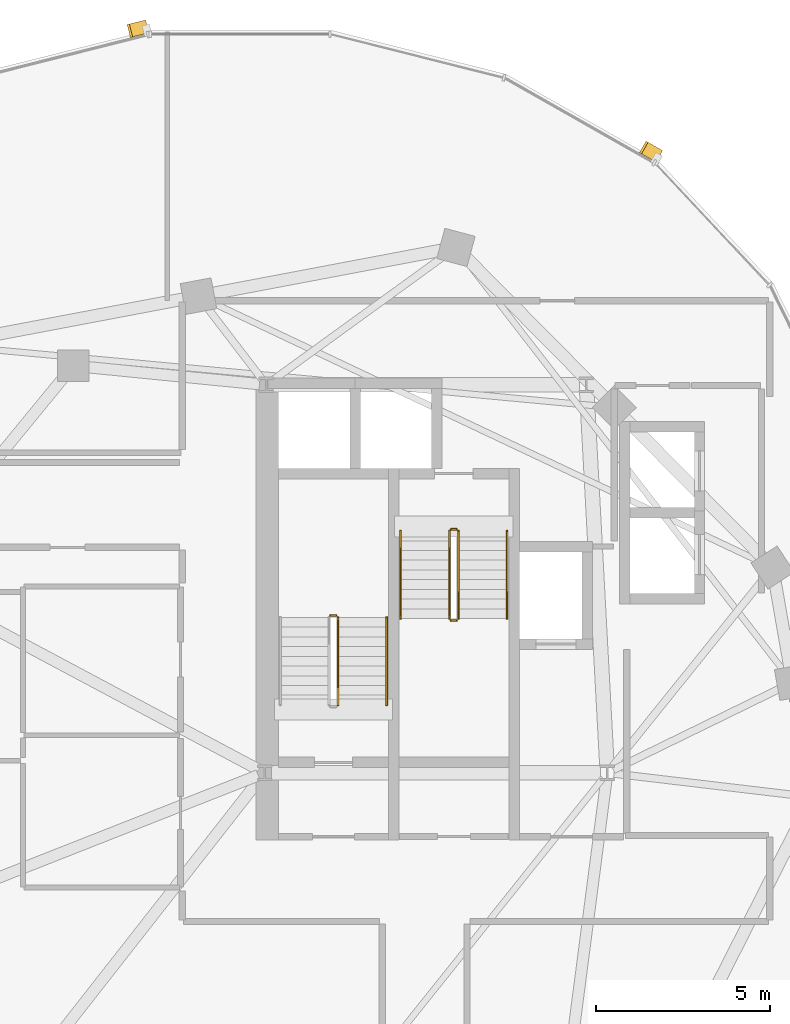
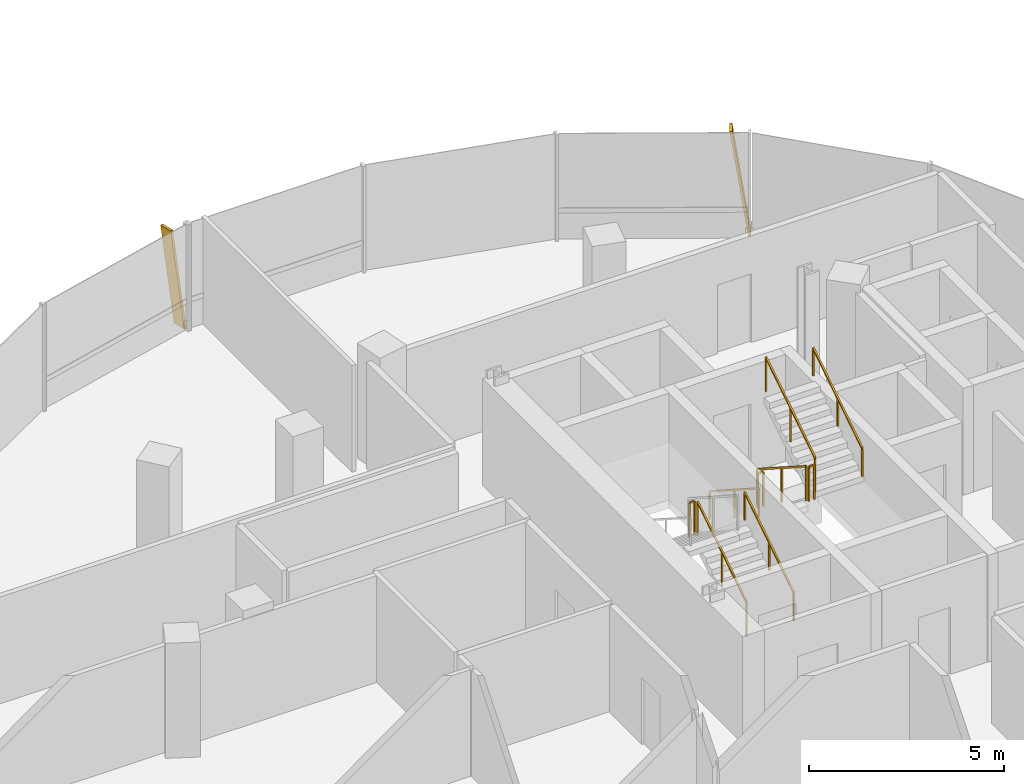
# One storey, part 23 of 25: 9 railings, 2 shading devices.
"""IFC4 building model written with IfcOpenShell, lengths in metres."""

from ifc_helpers import new_model, si_unit, direction, frame, origin, origin_2d, place, context, subcontext, project, spatial, rectangle, extrude, material, material_profile, profile_set, type_object, element, save


model = new_model("IFC4")

# Units and contexts
model_context = context("Model", 3, precision=1e-05, world=origin(), true_north=direction((0.0, 1.0)))
body_context = subcontext(model_context, "Body", "Model", "MODEL_VIEW")
ifc_project = project(units=[si_unit("LENGTHUNIT", "METRE"), si_unit("AREAUNIT", "SQUARE_METRE"), si_unit("VOLUMEUNIT", "CUBIC_METRE"), si_unit("PLANEANGLEUNIT", "RADIAN"), si_unit("MASSUNIT", "GRAM", prefix="KILO"), si_unit("THERMODYNAMICTEMPERATUREUNIT", "KELVIN"), si_unit("POWERUNIT", "WATT")], contexts=[model_context])

# Site, building, storey
site_placement = place(None, origin())
site = spatial("IfcSite", under=ifc_project, at=site_placement, CompositionType="ELEMENT")
building_placement = place(site_placement, origin())
building = spatial("IfcBuilding", under=site, at=building_placement, Name="Cundina Bronze Exchange", CompositionType="ELEMENT")
storey_placement = place(building_placement, frame((0.0, 0.0, 217.0)))
storey = spatial("IfcBuildingStorey", under=building, at=storey_placement, Name="L57", CompositionType="ELEMENT", Elevation=217.0)

# Railings
ifc_material_1 = material(Name="Steel ASTM A36 Painted", Category="steel")
railing_type_1 = type_object("IfcRailingType", Name="RLG-HND-900", PredefinedType="HANDRAIL", material=ifc_material_1)
railing_1_placement = place(storey_placement, frame((-27.7900390625, 5.85009765625, 0.179931640625)))
element("IfcRailing", 1, at=railing_1_placement, inside=storey, type_object=railing_type_1, Name="L57 ST-W1 stair handrail 1", PredefinedType="HANDRAIL", context=body_context, shape_type="SweptSolid", body=[
    extrude(rectangle(XDim=0.048095703125, YDim=0.048095703125, at=origin_2d()), frame((0.0, 0.0, 0.8759765625), z_axis=(0.0, 0.841162588446, 0.540782303519), x_axis=(-1.0, 0.0, 0.0)), (0.0, 0.0, 1.0), 2.995849609375),
    extrude(rectangle(XDim=0.0419921875, YDim=0.0419921875, at=origin_2d()), origin(), (0.0, 0.0, 1.0), 0.851806640625),
    extrude(rectangle(XDim=0.0419921875, YDim=0.0419921875, at=origin_2d()), frame((0.0, 1.260009765625, 0.81005859375)), (0.0, 0.0, 1.0), 0.851806640625),
    extrude(rectangle(XDim=0.0419921875, YDim=0.0419921875, at=origin_2d()), frame((0.0, 2.52001953125, 1.6201171875)), (0.0, 0.0, 1.0), 0.851806640625),
])
railing_2_placement = place(storey_placement, frame((-27.389892578125, 10.85009765625, 0.179931640625)))
element("IfcRailing", 2, at=railing_2_placement, inside=storey, type_object=railing_type_1, Name="L57 ST-W2 stair handrail 1", PredefinedType="HANDRAIL", context=body_context, shape_type="SweptSolid", body=[
    extrude(rectangle(XDim=0.048095703125, YDim=0.048095703125, at=origin_2d()), frame((0.0, 0.0, 0.8759765625), z_axis=(0.0, -0.841162588446, 0.540782303519), x_axis=(1.0, 0.0, 0.0)), (0.0, 0.0, 1.0), 2.995849609375),
    extrude(rectangle(XDim=0.0419921875, YDim=0.0419921875, at=origin_2d()), origin(), (0.0, 0.0, 1.0), 0.851806640625),
    extrude(rectangle(XDim=0.0419921875, YDim=0.0419921875, at=origin_2d()), frame((0.0, -1.260009765625, 0.81005859375)), (0.0, 0.0, 1.0), 0.851806640625),
    extrude(rectangle(XDim=0.0419921875, YDim=0.0419921875, at=origin_2d()), frame((0.0, -2.52001953125, 1.6201171875)), (0.0, 0.0, 1.0), 0.851806640625),
])
railing_3_placement = place(storey_placement, frame((-24.330078125, 8.330078125, 1.97998046875)))
element("IfcRailing", 3, at=railing_3_placement, inside=storey, type_object=railing_type_1, Name="L57 ST-W2 stair handrail 2", PredefinedType="HANDRAIL", context=body_context, shape_type="SweptSolid", body=[
    extrude(rectangle(XDim=0.048095703125, YDim=0.048095703125, at=origin_2d()), frame((0.0, 0.0, 0.8759765625), z_axis=(0.0, 0.841162588446, 0.540782303519), x_axis=(-1.0, 0.0, 0.0)), (0.0, 0.0, 1.0), 2.995849609375),
    extrude(rectangle(XDim=0.0419921875, YDim=0.0419921875, at=origin_2d()), origin(), (0.0, 0.0, 1.0), 0.851806640625),
    extrude(rectangle(XDim=0.0419921875, YDim=0.0419921875, at=origin_2d()), frame((0.0, 1.260009765625, 0.81005859375)), (0.0, 0.0, 1.0), 0.851806640625),
    extrude(rectangle(XDim=0.0419921875, YDim=0.0419921875, at=origin_2d()), frame((0.0, 2.52001953125, 1.6201171875)), (0.0, 0.0, 1.0), 0.851806640625),
])
railing_type_2 = type_object("IfcRailingType", Name="RLG-STG-1100", PredefinedType="GUARDRAIL", material=ifc_material_1)
railing_4_placement = place(storey_placement, frame((-29.18994140625, 5.85009765625, 0.179931640625)))
element("IfcRailing", 4, at=railing_4_placement, inside=storey, type_object=railing_type_2, Name="L57 ST-W1 stair guard 1", PredefinedType="GUARDRAIL", context=body_context, shape_type="SweptSolid", body=[
    extrude(rectangle(XDim=0.048095703125, YDim=0.048095703125, at=origin_2d()), frame((0.0, 0.0, 1.076171875), z_axis=(0.0, 0.841162588446, 0.540782303519), x_axis=(-1.0, 0.0, 0.0)), (0.0, 0.0, 1.0), 2.995849609375),
    extrude(rectangle(XDim=0.0419921875, YDim=0.0419921875, at=origin_2d()), origin(), (0.0, 0.0, 1.0), 1.052001953125),
    extrude(rectangle(XDim=0.0419921875, YDim=0.0419921875, at=origin_2d()), frame((0.0, 1.260009765625, 0.81005859375)), (0.0, 0.0, 1.0), 1.052001953125),
    extrude(rectangle(XDim=0.0419921875, YDim=0.0419921875, at=origin_2d()), frame((0.0, 2.52001953125, 1.6201171875)), (0.0, 0.0, 1.0), 1.052001953125),
])
railing_5_placement = place(storey_placement, frame((-29.239990234375, 8.419921875, 1.800048828125)))
element("IfcRailing", 5, at=railing_5_placement, inside=storey, type_object=railing_type_2, Name="L57 ST-W1 stair guard 2", PredefinedType="GUARDRAIL", context=body_context, shape_type="SweptSolid", body=[
    extrude(rectangle(XDim=0.048095703125, YDim=0.048095703125, at=origin_2d()), frame((0.0, 0.0, 1.076171875), z_axis=(-1.0, 0.0, 0.0), x_axis=(0.0, -1.0, 0.0)), (0.0, 0.0, 1.0), 0.159912109375),
    extrude(rectangle(XDim=0.0419921875, YDim=0.0419921875, at=origin_2d()), origin(), (0.0, 0.0, 1.0), 1.052001953125),
    extrude(rectangle(XDim=0.0419921875, YDim=0.0419921875, at=origin_2d()), frame((-0.159912109375, 0.0, 0.0)), (0.0, 0.0, 1.0), 1.052001953125),
])
railing_6_placement = place(storey_placement, frame((-25.989990234375, 10.85009765625, 0.179931640625)))
element("IfcRailing", 6, at=railing_6_placement, inside=storey, type_object=railing_type_2, Name="L57 ST-W2 stair guard 1", PredefinedType="GUARDRAIL", context=body_context, shape_type="SweptSolid", body=[
    extrude(rectangle(XDim=0.048095703125, YDim=0.048095703125, at=origin_2d()), frame((0.0, 0.0, 1.076171875), z_axis=(0.0, -0.841162588446, 0.540782303519), x_axis=(1.0, 0.0, 0.0)), (0.0, 0.0, 1.0), 2.995849609375),
    extrude(rectangle(XDim=0.0419921875, YDim=0.0419921875, at=origin_2d()), origin(), (0.0, 0.0, 1.0), 1.052001953125),
    extrude(rectangle(XDim=0.0419921875, YDim=0.0419921875, at=origin_2d()), frame((0.0, -1.260009765625, 0.81005859375)), (0.0, 0.0, 1.0), 1.052001953125),
    extrude(rectangle(XDim=0.0419921875, YDim=0.0419921875, at=origin_2d()), frame((0.0, -2.52001953125, 1.6201171875)), (0.0, 0.0, 1.0), 1.052001953125),
])
railing_7_placement = place(storey_placement, frame((-25.93994140625, 8.280029296875, 1.800048828125)))
element("IfcRailing", 7, at=railing_7_placement, inside=storey, type_object=railing_type_2, Name="L57 ST-W2 stair guard 2", PredefinedType="GUARDRAIL", context=body_context, shape_type="SweptSolid", body=[
    extrude(rectangle(XDim=0.048095703125, YDim=0.048095703125, at=origin_2d()), frame((0.0, 0.0, 1.076171875), z_axis=(1.0, 0.0, 0.0), x_axis=(0.0, 1.0, 0.0)), (0.0, 0.0, 1.0), 0.159912109375),
    extrude(rectangle(XDim=0.0419921875, YDim=0.0419921875, at=origin_2d()), origin(), (0.0, 0.0, 1.0), 1.052001953125),
    extrude(rectangle(XDim=0.0419921875, YDim=0.0419921875, at=origin_2d()), frame((0.159912109375, 0.0, 0.0)), (0.0, 0.0, 1.0), 1.052001953125),
])
railing_8_placement = place(storey_placement, frame((-25.72998046875, 8.330078125, 1.97998046875)))
element("IfcRailing", 8, at=railing_8_placement, inside=storey, type_object=railing_type_2, Name="L57 ST-W2 stair guard 3", PredefinedType="GUARDRAIL", context=body_context, shape_type="SweptSolid", body=[
    extrude(rectangle(XDim=0.048095703125, YDim=0.048095703125, at=origin_2d()), frame((0.0, 0.0, 1.076171875), z_axis=(0.0, 0.841162588446, 0.540782303519), x_axis=(-1.0, 0.0, 0.0)), (0.0, 0.0, 1.0), 2.995849609375),
    extrude(rectangle(XDim=0.0419921875, YDim=0.0419921875, at=origin_2d()), origin(), (0.0, 0.0, 1.0), 1.052001953125),
    extrude(rectangle(XDim=0.0419921875, YDim=0.0419921875, at=origin_2d()), frame((0.0, 1.260009765625, 0.81005859375)), (0.0, 0.0, 1.0), 1.052001953125),
    extrude(rectangle(XDim=0.0419921875, YDim=0.0419921875, at=origin_2d()), frame((0.0, 2.52001953125, 1.6201171875)), (0.0, 0.0, 1.0), 1.052001953125),
])
railing_9_placement = place(storey_placement, frame((-25.93994140625, 10.89990234375, 0.0)))
element("IfcRailing", 9, at=railing_9_placement, inside=storey, type_object=railing_type_2, Name="L57 ST-W2 stair guard 4", PredefinedType="GUARDRAIL", context=body_context, shape_type="SweptSolid", body=[
    extrude(rectangle(XDim=0.048095703125, YDim=0.048095703125, at=origin_2d()), frame((0.0, 0.0, 1.076171875), z_axis=(1.0, 0.0, 0.0), x_axis=(0.0, 1.0, 0.0)), (0.0, 0.0, 1.0), 0.159912109375),
    extrude(rectangle(XDim=0.0419921875, YDim=0.0419921875, at=origin_2d()), origin(), (0.0, 0.0, 1.0), 1.052001953125),
    extrude(rectangle(XDim=0.0419921875, YDim=0.0419921875, at=origin_2d()), frame((0.159912109375, 0.0, 0.0)), (0.0, 0.0, 1.0), 1.052001953125),
])

# Shading devices
ifc_material_2 = material(Name="Anodised Bronze Aluminium 6063-T6", Category="aluminium")
ifc_material_profile = material_profile(ifc_material_2, rectangle(XDim=0.070068359375, YDim=0.3798828125, at=origin_2d()), Name="FIN70X380", Category="aluminium")
ifc_profile_set = profile_set([ifc_material_profile], Name="Anodised Bronze Aluminium 6063-T6")
shading_device_type = type_object("IfcShadingDeviceType", Name="SHD-FIN-BRZ380", PredefinedType="USERDEFINED", material=ifc_profile_set)
for number, where, z_axis, x_axis, name in (
    (10, (-19.984375, 21.635498046875, 0.02001953125), (-0.125189514072, 0.071087145125, 0.989582843103), (0.860526986551, -0.488638423358, 0.143964567292), "L57 Diagonal Bronze Solar Fin 5"),
    (11, (-34.705810546875, 25.344482421875, 0.02001953125), (-0.139611891367, -0.03514090606, 0.989582556693), (0.959650042543, 0.24154799183, 0.143966536007), "L57 Diagonal Bronze Solar Fin 1"),
):
    element("IfcShadingDevice", number, at=place(storey_placement, frame(where, z_axis=z_axis, x_axis=x_axis)), inside=storey, type_object=shading_device_type, Name=name, ObjectType="FIN", PredefinedType="USERDEFINED", context=body_context, shape_type="SweptSolid", body=[
        extrude(rectangle(XDim=0.070068359375, YDim=0.3798828125, at=origin_2d()), origin(), (0.0, 0.0, 1.0), 3.334716796875),
    ])

save(model, "model.ifc")
